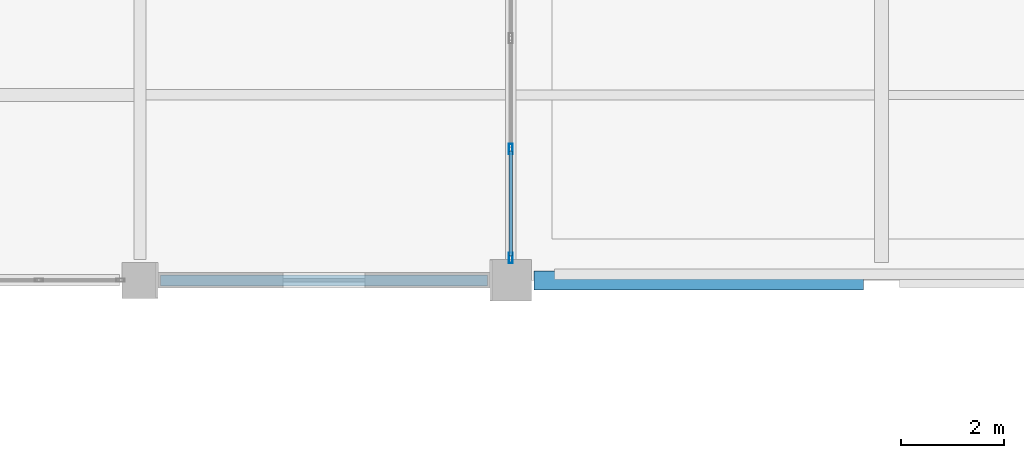
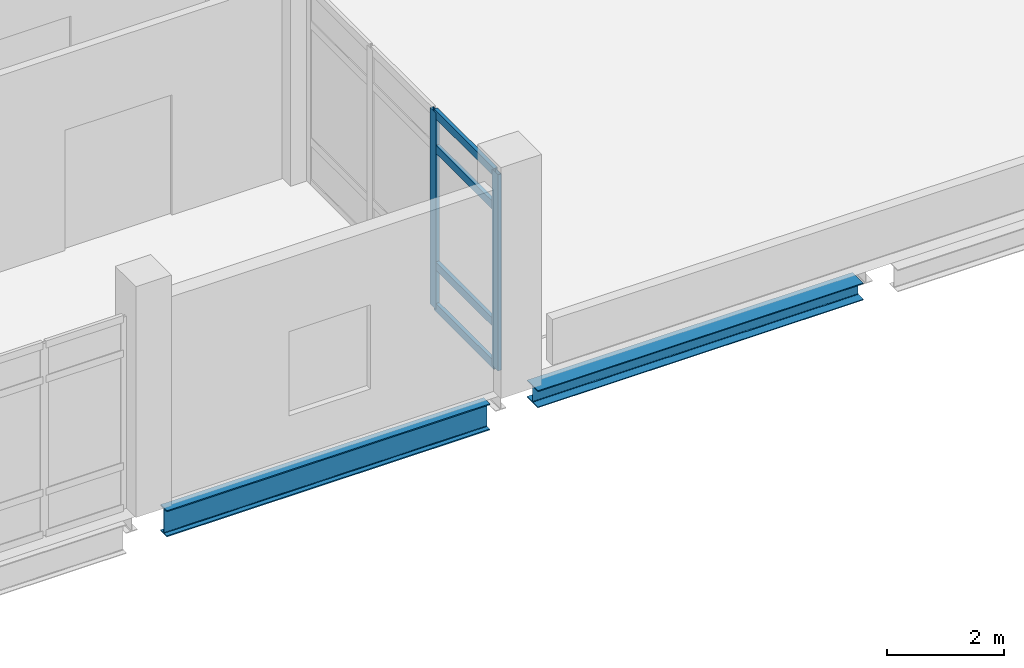
# One storey, part 88 of 153: 6 members, 2 beams, 1 element without a shape of its own.
"""IFC4 building model written with IfcOpenShell, lengths in metres."""

import ifcopenshell
import ifcopenshell.guid

model = None  # the IFC model being written
_history = None  # IfcOwnerHistory: only IFC2X3 demands one
_inside = {}  # id of a spatial element -> (the spatial element, [elements in it])
_under = {}  # id of a project, library or spatial element -> (it, [spatial elements below it])
_declared = {}  # id of a project -> (the project, [libraries it declares])
_typed = {}  # id of a type object -> (the type object, [elements of that type])
_made_of = {}  # id of a material, layer set ... -> (it, [elements and type objects made of it])


def new_model(schema):
    """Start an empty IFC model of exactly this schema.

    Asked for "IFC4X3", IfcOpenShell would pick the latest addendum, in which some entities
    have other attributes; the version numbers below select the first issue.
    IFC2X3 requires an IfcOwnerHistory on every rooted entity: one is made here for all.
    """
    global model, _history
    if schema == "IFC4X3":
        model = ifcopenshell.file(schema_version=(4, 3, 0, 0))
    else:
        model = ifcopenshell.file(schema=schema)
    _inside.clear()
    _under.clear()
    _declared.clear()
    _typed.clear()
    _made_of.clear()
    _history = None
    if model.schema == "IFC2X3":
        org = make("IfcOrganization", Name="unknown")
        user = make(
            "IfcPersonAndOrganization",
            ThePerson=make("IfcPerson", FamilyName="unknown"),
            TheOrganization=org,
        )
        app = make(
            "IfcApplication",
            ApplicationDeveloper=org,
            Version="unknown",
            ApplicationFullName="unknown",
            ApplicationIdentifier="unknown",
        )
        _history = make(
            "IfcOwnerHistory",
            OwningUser=user,
            OwningApplication=app,
            ChangeAction="ADDED",
            CreationDate=0,
        )
    return model


def make(cls, **values):
    """One entity of the class cls with the attributes given. An attribute that is None is left unset."""
    return model.create_entity(
        cls, **{name: value for name, value in values.items() if value is not None}
    )


def rooted(cls, **values):
    """An entity with a GlobalId (a new one), such as an element, a storey or a relation."""
    return make(cls, GlobalId=ifcopenshell.guid.new(), OwnerHistory=_history, **values)


def si_unit(unit_type, name, prefix=None):
    """IfcSIUnit, for example si_unit("LENGTHUNIT", "METRE", prefix="MILLI")."""
    return make("IfcSIUnit", UnitType=unit_type, Prefix=prefix, Name=name)


def assignment(units):
    """IfcUnitAssignment: the units of a project."""
    return None if units is None else make("IfcUnitAssignment", Units=units)


def point(xyz):
    """IfcCartesianPoint."""
    return None if xyz is None else make("IfcCartesianPoint", Coordinates=xyz)


def direction(xyz):
    """IfcDirection."""
    return None if xyz is None else make("IfcDirection", DirectionRatios=xyz)


def frame(location, z_axis=None, x_axis=None):
    """IfcAxis2Placement3D, a coordinate frame: its origin and axes. An axis left out is left unset."""
    return make(
        "IfcAxis2Placement3D",
        Location=point(location),
        Axis=direction(z_axis),
        RefDirection=direction(x_axis),
    )


def frame_2d(location, x_axis=None):
    """IfcAxis2Placement2D, a coordinate frame in the plane: its origin and x axis."""
    return make(
        "IfcAxis2Placement2D", Location=point(location), RefDirection=direction(x_axis)
    )


def origin():
    """The frame at (0, 0, 0) with its axes left unset."""
    return frame((0.0, 0.0, 0.0))


def origin_2d():
    """The frame at (0, 0) in the plane with its x axis left unset."""
    return frame_2d((0.0, 0.0))


def place(relative_to, where):
    """IfcLocalPlacement: puts the frame where relative to a parent placement (None: the world)."""
    return make(
        "IfcLocalPlacement", PlacementRelTo=relative_to, RelativePlacement=where
    )


def context(
    kind, dimensions, precision=None, world=None, true_north=None, identifier=None
):
    """IfcGeometricRepresentationContext, for example the 3D "Model" context."""
    return make(
        "IfcGeometricRepresentationContext",
        ContextIdentifier=identifier,
        ContextType=kind,
        CoordinateSpaceDimension=dimensions,
        Precision=precision,
        WorldCoordinateSystem=world,
        TrueNorth=true_north,
    )


def subcontext(parent, identifier, kind, view, scale=None):
    """IfcGeometricRepresentationSubContext, for example "Body" below "Model"."""
    return make(
        "IfcGeometricRepresentationSubContext",
        ContextIdentifier=identifier,
        ContextType=kind,
        ParentContext=parent,
        TargetScale=scale,
        TargetView=view,
    )


def project(units=None, contexts=None):
    """IfcProject with its units and contexts."""
    return rooted(
        "IfcProject",
        Name="project",
        RepresentationContexts=contexts,
        UnitsInContext=assignment(units),
    )


def spatial(cls, under=None, at=None, **own):
    """A site, building, storey or space (cls), placed at a placement, below another one or the project."""
    s = rooted(cls, ObjectPlacement=at, **own)
    if under is not None:
        _under.setdefault(under.id(), (under, []))[1].append(s)
    return s


def profile(cls, at=None, kind="AREA", **sizes):
    """A parametric profile (cls). Its sizes go by their IFC names, for example OverallWidth=200.0."""
    return make(cls, ProfileType=kind, Position=at, **sizes)


def hollow_rectangle(**sizes):
    """IfcRectangleHollowProfileDef."""
    return profile("IfcRectangleHollowProfileDef", **sizes)


def i_section(**sizes):
    """IfcIShapeProfileDef."""
    return profile("IfcIShapeProfileDef", **sizes)


def extrude(swept, where, along, depth):
    """IfcExtrudedAreaSolid: the profile swept, set in the frame where, extruded along a direction by depth."""
    return make(
        "IfcExtrudedAreaSolid",
        SweptArea=swept,
        Position=where,
        ExtrudedDirection=direction(along),
        Depth=depth,
    )


def shape(context_of_items, identifier, shape_type, items):
    """IfcShapeRepresentation: the items that make up one representation, for example the "Body"."""
    return make(
        "IfcShapeRepresentation",
        ContextOfItems=context_of_items,
        RepresentationIdentifier=identifier,
        RepresentationType=shape_type,
        Items=items,
    )


def material(Name=None, Category=None):
    """IfcMaterial."""
    return make("IfcMaterial", Name=Name, Category=Category)


def layer(
    of_material, thickness, ventilated=None, Name=None, Category=None, Priority=None
):
    """IfcMaterialLayer: one layer of a wall or slab, of a material (None: an air gap)."""
    return make(
        "IfcMaterialLayer",
        Material=of_material,
        LayerThickness=thickness,
        IsVentilated=ventilated,
        Name=Name,
        Category=Category,
        Priority=Priority,
    )


def layer_set(layers, Name=None):
    """IfcMaterialLayerSet."""
    return make("IfcMaterialLayerSet", MaterialLayers=layers, LayerSetName=Name)


def material_profile(
    of_material, cross_section, Name=None, Category=None, Priority=None
):
    """IfcMaterialProfile: a cross section and its material."""
    return make(
        "IfcMaterialProfile",
        Name=Name,
        Material=of_material,
        Profile=cross_section,
        Priority=Priority,
        Category=Category,
    )


def profile_set(profiles, Name=None, composite=None):
    """IfcMaterialProfileSet."""
    return make(
        "IfcMaterialProfileSet",
        Name=Name,
        MaterialProfiles=profiles,
        CompositeProfile=composite,
    )


def made_of(thing, what):
    """Note that an element or type object is made of a material, layer set ...; save() writes the relation."""
    if what is not None:
        _made_of.setdefault(what.id(), (what, []))[1].append(thing)
    return thing


def type_object(cls, material=None, **own):
    """A type object (cls), such as IfcWallType, which elements share."""
    return made_of(rooted(cls, **own), material)


def element(
    cls,
    number,
    at=None,
    inside=None,
    cuts=None,
    type_object=None,
    material=None,
    context=None,
    identifier="Body",
    shape_type=None,
    held_by="IfcProductDefinitionShape",
    body=None,
    shapes=None,
    **own,
):
    """One element of the class cls, such as IfcWall. Its Tag is "e" and its number.

    at: its placement. inside: the storey or other place that contains it. cuts: it is an
    opening in that element (IfcRelVoidsElement). A single representation is given by context,
    identifier, shape_type and body (its items); several are given by shapes. held_by: the class
    of the entity that holds the representations. save() writes the other relations.
    """
    e = rooted(cls, Tag="e%d" % number, ObjectPlacement=at, **own)
    if body is not None:
        shapes = [shape(context, identifier, shape_type, body)]
    if shapes is not None:
        e.Representation = make(held_by, Representations=shapes)
    if inside is not None:
        _inside.setdefault(inside.id(), (inside, []))[1].append(e)
    if cuts is not None:
        rooted(
            "IfcRelVoidsElement", RelatingBuildingElement=cuts, RelatedOpeningElement=e
        )
    if type_object is not None:
        _typed.setdefault(type_object.id(), (type_object, []))[1].append(e)
    return made_of(e, material)


def aggregate(whole, parts):
    """IfcRelAggregates: a whole, such as a stair, and the parts it consists of."""
    return rooted("IfcRelAggregates", RelatingObject=whole, RelatedObjects=parts)


def save(model, path):
    """Write the relations noted so far, then the file.

    IfcRelAggregates (storeys below a building ...), IfcRelContainedInSpatialStructure (elements
    in a storey), IfcRelDefinesByType, IfcRelAssociatesMaterial and IfcRelDeclares: one each for
    every whole, place, type object, material and project.
    """
    for whole, parts in _under.values():
        aggregate(whole, parts)
    for where, things in _inside.values():
        rooted(
            "IfcRelContainedInSpatialStructure",
            RelatedElements=things,
            RelatingStructure=where,
        )
    for kind, things in _typed.values():
        rooted("IfcRelDefinesByType", RelatedObjects=things, RelatingType=kind)
    for what, things in _made_of.values():
        rooted("IfcRelAssociatesMaterial", RelatedObjects=things, RelatingMaterial=what)
    for by, libraries in _declared.values():
        rooted("IfcRelDeclares", RelatingContext=by, RelatedDefinitions=libraries)
    model.write(path)


model = new_model("IFC4")

# Units and contexts
model_context = context("Model", 3, precision=1e-05, world=origin(), true_north=direction((0.0, 1.0)))
body_context = subcontext(model_context, "Body", "Model", "MODEL_VIEW")
ifc_project = project(units=[si_unit("LENGTHUNIT", "METRE"), si_unit("AREAUNIT", "SQUARE_METRE"), si_unit("VOLUMEUNIT", "CUBIC_METRE"), si_unit("PLANEANGLEUNIT", "RADIAN"), si_unit("MASSUNIT", "GRAM", prefix="KILO")], contexts=[model_context])

# Site, building, storey
site_placement = place(None, origin())
site = spatial("IfcSite", under=ifc_project, at=site_placement, CompositionType="ELEMENT")
building_placement = place(site_placement, origin())
building = spatial("IfcBuilding", under=site, at=building_placement, Name="Calvrana Isthmian Art Gallery", CompositionType="ELEMENT")
storey_placement = place(building_placement, frame((0.0, 0.0, 10.199951171875)))
storey = spatial("IfcBuildingStorey", under=building, at=storey_placement, Name="L02", CompositionType="ELEMENT", Elevation=10.199951171875)

# Beams
ifc_material_1 = material(Name="Steel ASTM A992 Gr 50", Category="steel")
ifc_material_profile_1 = material_profile(ifc_material_1, i_section(OverallWidth=0.214111328125, OverallDepth=0.549072265625, WebThickness=0.0146484375, FlangeThickness=0.023681640625, FilletRadius=0.02099609375, at=origin_2d()), Name="W21X93")
ifc_profile_set_1 = profile_set([ifc_material_profile_1], Name="Steel ASTM A992 Gr 50")
beam_type_1 = type_object("IfcBeamType", Name="BM-G-W21X93", PredefinedType="BEAM", material=ifc_profile_set_1)
beam_1_placement = place(storey_placement, frame((127.60009765625, 76.800048828125, -0.53955078125), z_axis=(1.0, 0.0, 0.0), x_axis=(0.0, 1.0, 0.0)))
element("IfcBeam", 1, at=beam_1_placement, inside=storey, type_object=beam_type_1, Name="Girder X L02 17-18/K", PredefinedType="BEAM", context=body_context, shape_type="SweptSolid", body=[
    extrude(i_section(OverallWidth=0.214111328125, OverallDepth=0.549072265625, WebThickness=0.0146484375, FlangeThickness=0.023681640625, FilletRadius=0.02099609375, at=origin_2d()), origin(), (0.0, 0.0, 1.0), 6.349853515625),
])
ifc_material_profile_2 = material_profile(ifc_material_1, i_section(OverallWidth=0.367919921875, OverallDepth=0.35595703125, WebThickness=0.01123046875, FlangeThickness=0.01806640625, FilletRadius=0.02490234375, at=origin_2d()), Name="W14X90")
ifc_profile_set_2 = profile_set([ifc_material_profile_2], Name="Steel ASTM A992 Gr 50")
beam_type_2 = type_object("IfcBeamType", Name="BM-SP-W14X90", PredefinedType="SPANDREL", material=ifc_profile_set_2)
beam_2_placement = place(storey_placement, frame((134.85009765625, 76.800048828125, -0.44287109375), z_axis=(1.0, 0.0, 0.0), x_axis=(0.0, 1.0, 0.0)))
element("IfcBeam", 2, at=beam_2_placement, inside=storey, type_object=beam_type_2, Name="Girder X L02 18-19/K", PredefinedType="SPANDREL", context=body_context, shape_type="SweptSolid", body=[
    extrude(i_section(OverallWidth=0.367919921875, OverallDepth=0.35595703125, WebThickness=0.01123046875, FlangeThickness=0.01806640625, FilletRadius=0.02490234375, at=origin_2d()), origin(), (0.0, 0.0, 1.0), 6.39990234375),
])

# Curtain wall, members
ifc_material_2 = material(Name="Anodized bronze aluminium 6063-T6", Category="aluminium")
ifc_layer = layer(ifc_material_2, 0.179931640625, Name="Anodized bronze aluminium 6063-T6")
ifc_layer_set = layer_set([ifc_layer], Name="Anodized bronze aluminium 6063-T6")
curtain_wall_type = type_object("IfcCurtainWallType", Name="CW-UNIT-065X41", PredefinedType="USERDEFINED", material=ifc_layer_set)
curtain_wall_placement = place(storey_placement, origin())
curtain_wall = element("IfcCurtainWall", 3, at=curtain_wall_placement, inside=storey, type_object=curtain_wall_type, Name="Curtain wall CW-183", ObjectType="UNITISED CURTAIN WALL", PredefinedType="USERDEFINED")
ifc_material_profile_3 = material_profile(ifc_material_2, hollow_rectangle(XDim=0.070068359375, YDim=0.199951171875, WallThickness=0.0048828125, at=origin_2d()), Name="CWM70X200")
ifc_profile_set_3 = profile_set([ifc_material_profile_3], Name="Anodized bronze aluminium 6063-T6")
member_type_1 = type_object("IfcMemberType", Name="CWM-CWM70X200", PredefinedType="MULLION", material=ifc_profile_set_3)
member_1_placement = place(storey_placement, frame((134.39990234375, 79.35009765625, 0.0), z_axis=(0.0, 0.0, 1.0), x_axis=(1.0, 0.0, 0.0)))
member_1 = element("IfcMember", 4, at=member_1_placement, type_object=member_type_1, Name="CW-183 mullion 3", PredefinedType="MULLION", context=body_context, shape_type="SweptSolid", body=[
    extrude(hollow_rectangle(XDim=0.070068359375, YDim=0.199951171875, WallThickness=0.0048828125, at=origin_2d()), origin(), (0.0, 0.0, 1.0), 4.078125),
])
member_2_placement = place(storey_placement, frame((134.39990234375, 77.235107421875, 0.0), z_axis=(0.0, 0.0, 1.0), x_axis=(1.0, 0.0, 0.0)))
member_2 = element("IfcMember", 5, at=member_2_placement, type_object=member_type_1, Name="CW-183 mullion 4", PredefinedType="MULLION", context=body_context, shape_type="SweptSolid", body=[
    extrude(hollow_rectangle(XDim=0.070068359375, YDim=0.199951171875, WallThickness=0.0048828125, at=origin_2d()), origin(), (0.0, 0.0, 1.0), 4.078125),
])
ifc_material_profile_4 = material_profile(ifc_material_2, hollow_rectangle(XDim=0.070068359375, YDim=0.169921875, WallThickness=0.00439453125, at=origin_2d()), Name="CWT70X170")
ifc_profile_set_4 = profile_set([ifc_material_profile_4], Name="Anodized bronze aluminium 6063-T6")
member_type_2 = type_object("IfcMemberType", Name="CWT-CWT70X170", PredefinedType="USERDEFINED", material=ifc_profile_set_4)
member_3_placement = place(storey_placement, frame((134.39990234375, 79.31494140625, 0.03515625), z_axis=(0.0, -1.0, 0.0), x_axis=(1.0, 0.0, 0.0)))
member_3 = element("IfcMember", 6, at=member_3_placement, type_object=member_type_2, Name="CW-183 transom 3.1", ObjectType="TRANSOM", PredefinedType="USERDEFINED", context=body_context, shape_type="SweptSolid", body=[
    extrude(hollow_rectangle(XDim=0.070068359375, YDim=0.169921875, WallThickness=0.00439453125, at=origin_2d()), origin(), (0.0, 0.0, 1.0), 2.044921875),
])
member_4_placement = place(storey_placement, frame((134.39990234375, 79.31494140625, 0.900146484375), z_axis=(0.0, -1.0, 0.0), x_axis=(1.0, 0.0, 0.0)))
member_4 = element("IfcMember", 7, at=member_4_placement, type_object=member_type_2, Name="CW-183 transom 3.2", ObjectType="TRANSOM", PredefinedType="USERDEFINED", context=body_context, shape_type="SweptSolid", body=[
    extrude(hollow_rectangle(XDim=0.070068359375, YDim=0.169921875, WallThickness=0.00439453125, at=origin_2d()), origin(), (0.0, 0.0, 1.0), 2.044921875),
])
member_5_placement = place(storey_placement, frame((134.39990234375, 79.31494140625, 3.328125), z_axis=(0.0, -1.0, 0.0), x_axis=(1.0, 0.0, 0.0)))
member_5 = element("IfcMember", 8, at=member_5_placement, type_object=member_type_2, Name="CW-183 transom 3.3", ObjectType="TRANSOM", PredefinedType="USERDEFINED", context=body_context, shape_type="SweptSolid", body=[
    extrude(hollow_rectangle(XDim=0.070068359375, YDim=0.169921875, WallThickness=0.00439453125, at=origin_2d()), origin(), (0.0, 0.0, 1.0), 2.044921875),
])
member_6_placement = place(storey_placement, frame((134.39990234375, 79.31494140625, 4.04296875), z_axis=(0.0, -1.0, 0.0), x_axis=(1.0, 0.0, 0.0)))
member_6 = element("IfcMember", 9, at=member_6_placement, type_object=member_type_2, Name="CW-183 transom 3.4", ObjectType="TRANSOM", PredefinedType="USERDEFINED", context=body_context, shape_type="SweptSolid", body=[
    extrude(hollow_rectangle(XDim=0.070068359375, YDim=0.169921875, WallThickness=0.00439453125, at=origin_2d()), origin(), (0.0, 0.0, 1.0), 2.044921875),
])
aggregate(curtain_wall, [member_1, member_2, member_3, member_4, member_5, member_6])

save(model, "model.ifc")
